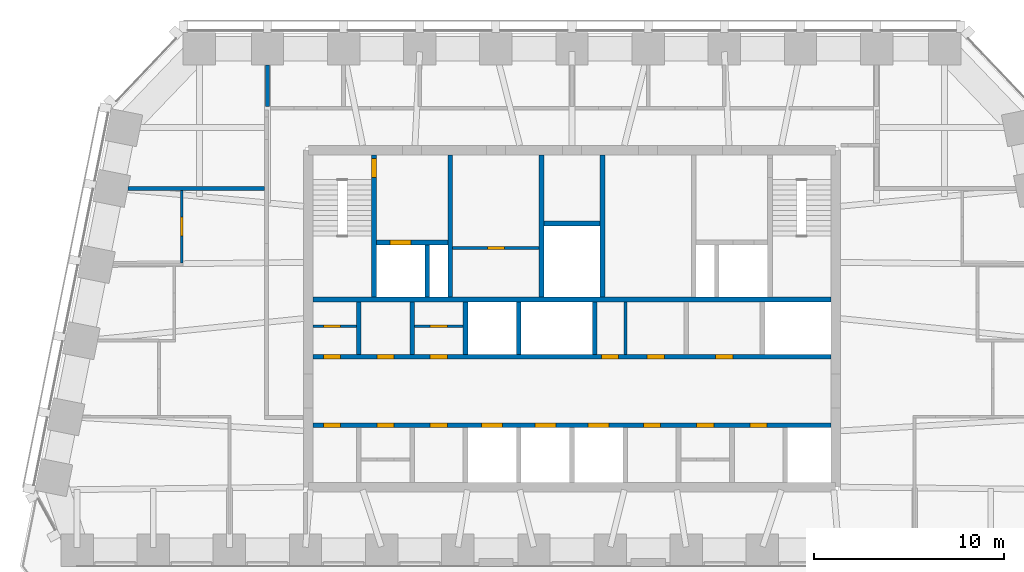
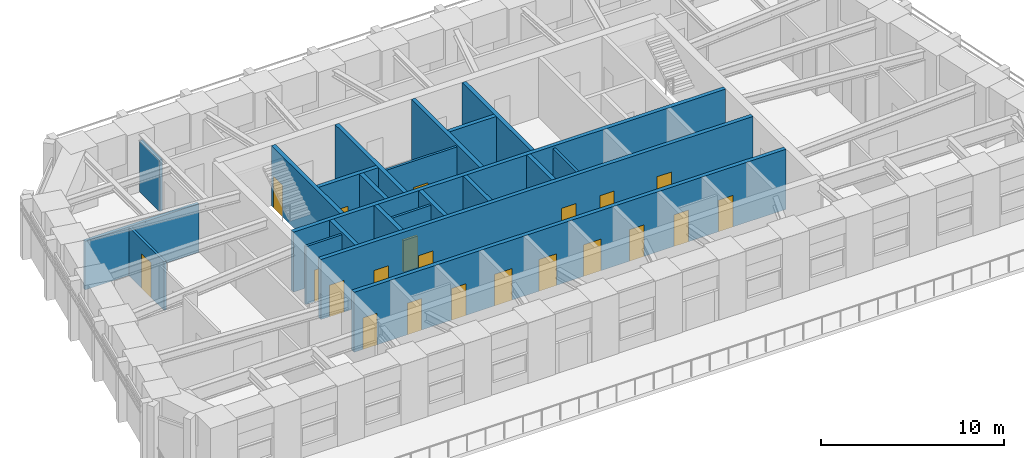
# One storey, part 5 of 9: 22 walls, 21 doors, 21 openings.
"""IFC4 building model written with IfcOpenShell, lengths in metres."""

from ifc_helpers import new_model, si_unit, direction, frame, frame_2d, origin, place, context, subcontext, project, spatial, rectangle, extrude, material, layer, layer_set, type_object, element, fill, save


model = new_model("IFC4")

# Units and contexts
model_context = context("Model", 3, precision=1e-05, world=origin(), true_north=direction((0.0, 1.0)))
body_context = subcontext(model_context, "Body", "Model", "MODEL_VIEW")
ifc_project = project(units=[si_unit("LENGTHUNIT", "METRE"), si_unit("AREAUNIT", "SQUARE_METRE"), si_unit("VOLUMEUNIT", "CUBIC_METRE"), si_unit("PLANEANGLEUNIT", "RADIAN"), si_unit("MASSUNIT", "GRAM", prefix="KILO")], contexts=[model_context])

# Site, building, storey
site_placement = place(None, origin())
site = spatial("IfcSite", under=ifc_project, at=site_placement, CompositionType="ELEMENT")
building_placement = place(site_placement, origin())
building = spatial("IfcBuilding", under=site, at=building_placement, Name="Isbrekke Arena Tower", CompositionType="ELEMENT")
storey_placement = place(building_placement, frame((0.0, 0.0, 308.0)))
storey = spatial("IfcBuildingStorey", under=building, at=storey_placement, Name="L72", CompositionType="ELEMENT", Elevation=308.0)

# Wall, openings, doors
ifc_material_1 = material(Name="Concrete B45 (C45/55)", Category="concrete")
ifc_layer_1 = layer(ifc_material_1, 0.25)
ifc_layer_set_1 = layer_set([ifc_layer_1], Name="CW6 SHAFT WALL 250")
wall_type_1 = type_object("IfcWallType", Name="CW6 SHAFT WALL 250", PredefinedType="SHEAR", material=ifc_layer_set_1)
wall_1_placement = place(storey_placement, frame((-13.60009765625, 9.39990234375, 0.0), z_axis=(0.0, 0.0, 1.0), x_axis=(1.0, 0.0, 0.0)))
wall_1 = element("IfcWall", 1, at=wall_1_placement, inside=storey, type_object=wall_type_1, Name="Core wall LS L72", PredefinedType="SHEAR", context=body_context, shape_type="SweptSolid", body=[
    extrude(rectangle(XDim=27.2001953125, YDim=0.25, at=frame_2d((13.60009765625, 0.0))), origin(), (0.0, 0.0, 1.0), 4.0),
])
opening_1_placement = place(wall_1_placement, frame((8.85009765625, 0.0, 0.0)))
opening_1 = element("IfcOpeningElement", 2, at=opening_1_placement, cuts=wall_1, Name="Opening LD1", PredefinedType="OPENING", context=body_context, shape_type="SweptSolid", body=[
    extrude(rectangle(XDim=1.10009765625, YDim=2.10009765625, at=frame_2d((0.550048828125, 1.050048828125))), frame((0.0, 0.139892578125, 0.0), z_axis=(0.0, -1.0, 0.0), x_axis=(1.0, 0.0, 0.0)), (0.0, 0.0, 1.0), 0.27978515625),
])
opening_2_placement = place(wall_1_placement, frame((11.64990234375, 0.0, 0.0)))
opening_2 = element("IfcOpeningElement", 3, at=opening_2_placement, cuts=wall_1, Name="Opening LD1", PredefinedType="OPENING", context=body_context, shape_type="SweptSolid", body=[
    extrude(rectangle(XDim=1.10009765625, YDim=2.10009765625, at=frame_2d((0.550048828125, 1.050048828125))), frame((0.0, 0.139892578125, 0.0), z_axis=(0.0, -1.0, 0.0), x_axis=(1.0, 0.0, 0.0)), (0.0, 0.0, 1.0), 0.27978515625),
])
opening_3_placement = place(wall_1_placement, frame((14.449951171875, 0.0, 0.0)))
opening_3 = element("IfcOpeningElement", 4, at=opening_3_placement, cuts=wall_1, Name="Opening LD1", PredefinedType="OPENING", context=body_context, shape_type="SweptSolid", body=[
    extrude(rectangle(XDim=1.10009765625, YDim=2.10009765625, at=frame_2d((0.550048828125, 1.050048828125))), frame((0.0, 0.139892578125, 0.0), z_axis=(0.0, -1.0, 0.0), x_axis=(1.0, 0.0, 0.0)), (0.0, 0.0, 1.0), 0.27978515625),
])
opening_4_placement = place(wall_1_placement, frame((0.550048828125, 0.0, 0.0)))
opening_4 = element("IfcOpeningElement", 5, at=opening_4_placement, cuts=wall_1, Name="Opening D5", PredefinedType="OPENING", context=body_context, shape_type="SweptSolid", body=[
    extrude(rectangle(XDim=0.89990234375, YDim=2.10009765625, at=frame_2d((0.449951171875, 1.050048828125))), frame((0.0, 0.139892578125, 0.0), z_axis=(0.0, -1.0, 0.0), x_axis=(1.0, 0.0, 0.0)), (0.0, 0.0, 1.0), 0.27978515625),
])
opening_5_placement = place(wall_1_placement, frame((3.35009765625, 0.0, 0.0)))
opening_5 = element("IfcOpeningElement", 6, at=opening_5_placement, cuts=wall_1, Name="Opening D5", PredefinedType="OPENING", context=body_context, shape_type="SweptSolid", body=[
    extrude(rectangle(XDim=0.89990234375, YDim=2.10009765625, at=frame_2d((0.449951171875, 1.050048828125))), frame((0.0, 0.139892578125, 0.0), z_axis=(0.0, -1.0, 0.0), x_axis=(1.0, 0.0, 0.0)), (0.0, 0.0, 1.0), 0.27978515625),
])
opening_6_placement = place(wall_1_placement, frame((6.14990234375, 0.0, 0.0)))
opening_6 = element("IfcOpeningElement", 7, at=opening_6_placement, cuts=wall_1, Name="Opening D5", PredefinedType="OPENING", context=body_context, shape_type="SweptSolid", body=[
    extrude(rectangle(XDim=0.89990234375, YDim=2.10009765625, at=frame_2d((0.449951171875, 1.050048828125))), frame((0.0, 0.139892578125, 0.0), z_axis=(0.0, -1.0, 0.0), x_axis=(1.0, 0.0, 0.0)), (0.0, 0.0, 1.0), 0.27978515625),
])
opening_7_placement = place(wall_1_placement, frame((17.35009765625, 0.0, 0.0)))
opening_7 = element("IfcOpeningElement", 8, at=opening_7_placement, cuts=wall_1, Name="Opening D5", PredefinedType="OPENING", context=body_context, shape_type="SweptSolid", body=[
    extrude(rectangle(XDim=0.89990234375, YDim=2.10009765625, at=frame_2d((0.449951171875, 1.050048828125))), frame((0.0, 0.139892578125, 0.0), z_axis=(0.0, -1.0, 0.0), x_axis=(1.0, 0.0, 0.0)), (0.0, 0.0, 1.0), 0.27978515625),
])
opening_8_placement = place(wall_1_placement, frame((20.14990234375, 0.0, 0.0)))
opening_8 = element("IfcOpeningElement", 9, at=opening_8_placement, cuts=wall_1, Name="Opening D5", PredefinedType="OPENING", context=body_context, shape_type="SweptSolid", body=[
    extrude(rectangle(XDim=0.89990234375, YDim=2.10009765625, at=frame_2d((0.449951171875, 1.050048828125))), frame((0.0, 0.139892578125, 0.0), z_axis=(0.0, -1.0, 0.0), x_axis=(1.0, 0.0, 0.0)), (0.0, 0.0, 1.0), 0.27978515625),
])
opening_9_placement = place(wall_1_placement, frame((22.949951171875, 0.0, 0.0)))
opening_9 = element("IfcOpeningElement", 10, at=opening_9_placement, cuts=wall_1, Name="Opening D5", PredefinedType="OPENING", context=body_context, shape_type="SweptSolid", body=[
    extrude(rectangle(XDim=0.89990234375, YDim=2.10009765625, at=frame_2d((0.449951171875, 1.050048828125))), frame((0.0, 0.139892578125, 0.0), z_axis=(0.0, -1.0, 0.0), x_axis=(1.0, 0.0, 0.0)), (0.0, 0.0, 1.0), 0.27978515625),
])
ifc_material_2 = material(Name="Steel fire door", Category="steel")
door_type_1 = type_object("IfcDoorType", Name="D5 SERVICE DOOR 900 x 2100", OperationType="SINGLE_SWING_LEFT", PredefinedType="DOOR", material=ifc_material_2)
door_1_placement = place(opening_4_placement, origin())
door_1 = element("IfcDoor", 11, at=door_1_placement, inside=storey, type_object=door_type_1, Name="D5 print room door L72", OperationType="SINGLE_SWING_LEFT", OverallHeight=2.10009765625, OverallWidth=0.89990234375, PredefinedType="DOOR", context=body_context, shape_type="SweptSolid", body=[
    extrude(rectangle(XDim=0.89990234375, YDim=2.10009765625, at=frame_2d((0.449951171875, 1.050048828125))), frame((0.0, 0.124755859375, 0.0), z_axis=(0.0, -1.0, 0.0), x_axis=(1.0, 0.0, 0.0)), (0.0, 0.0, 1.0), 0.24951171875),
])
fill(opening_4, door_1)
door_2_placement = place(opening_5_placement, origin())
door_2 = element("IfcDoor", 12, at=door_2_placement, inside=storey, type_object=door_type_1, Name="D5 mothers' room door L72", OperationType="SINGLE_SWING_LEFT", OverallHeight=2.10009765625, OverallWidth=0.89990234375, PredefinedType="DOOR", context=body_context, shape_type="SweptSolid", body=[
    extrude(rectangle(XDim=0.89990234375, YDim=2.10009765625, at=frame_2d((0.449951171875, 1.050048828125))), frame((0.0, 0.124755859375, 0.0), z_axis=(0.0, -1.0, 0.0), x_axis=(1.0, 0.0, 0.0)), (0.0, 0.0, 1.0), 0.24951171875),
])
fill(opening_5, door_2)
door_3_placement = place(opening_6_placement, origin())
door_3 = element("IfcDoor", 13, at=door_3_placement, inside=storey, type_object=door_type_1, Name="D5 tenant store door L72", OperationType="SINGLE_SWING_LEFT", OverallHeight=2.10009765625, OverallWidth=0.89990234375, PredefinedType="DOOR", context=body_context, shape_type="SweptSolid", body=[
    extrude(rectangle(XDim=0.89990234375, YDim=2.10009765625, at=frame_2d((0.449951171875, 1.050048828125))), frame((0.0, 0.124755859375, 0.0), z_axis=(0.0, -1.0, 0.0), x_axis=(1.0, 0.0, 0.0)), (0.0, 0.0, 1.0), 0.24951171875),
])
fill(opening_6, door_3)
door_4_placement = place(opening_7_placement, origin())
door_4 = element("IfcDoor", 14, at=door_4_placement, inside=storey, type_object=door_type_1, Name="D5 technical room door L72", OperationType="SINGLE_SWING_LEFT", OverallHeight=2.10009765625, OverallWidth=0.89990234375, PredefinedType="DOOR", context=body_context, shape_type="SweptSolid", body=[
    extrude(rectangle(XDim=0.89990234375, YDim=2.10009765625, at=frame_2d((0.449951171875, 1.050048828125))), frame((0.0, 0.124755859375, 0.0), z_axis=(0.0, -1.0, 0.0), x_axis=(1.0, 0.0, 0.0)), (0.0, 0.0, 1.0), 0.24951171875),
])
fill(opening_7, door_4)
door_5_placement = place(opening_8_placement, origin())
door_5 = element("IfcDoor", 15, at=door_5_placement, inside=storey, type_object=door_type_1, Name="D5 print room door L72", OperationType="SINGLE_SWING_LEFT", OverallHeight=2.10009765625, OverallWidth=0.89990234375, PredefinedType="DOOR", context=body_context, shape_type="SweptSolid", body=[
    extrude(rectangle(XDim=0.89990234375, YDim=2.10009765625, at=frame_2d((0.449951171875, 1.050048828125))), frame((0.0, 0.124755859375, 0.0), z_axis=(0.0, -1.0, 0.0), x_axis=(1.0, 0.0, 0.0)), (0.0, 0.0, 1.0), 0.24951171875),
])
fill(opening_8, door_5)
door_6_placement = place(opening_9_placement, origin())
door_6 = element("IfcDoor", 16, at=door_6_placement, inside=storey, type_object=door_type_1, Name="D5 print room door L72", OperationType="SINGLE_SWING_LEFT", OverallHeight=2.10009765625, OverallWidth=0.89990234375, PredefinedType="DOOR", context=body_context, shape_type="SweptSolid", body=[
    extrude(rectangle(XDim=0.89990234375, YDim=2.10009765625, at=frame_2d((0.449951171875, 1.050048828125))), frame((0.0, 0.124755859375, 0.0), z_axis=(0.0, -1.0, 0.0), x_axis=(1.0, 0.0, 0.0)), (0.0, 0.0, 1.0), 0.24951171875),
])
fill(opening_9, door_6)
ifc_material_3 = material(Name="Stainless steel lift landing door", Category="steel")
door_type_2 = type_object("IfcDoorType", Name="LD1 LIFT LANDING DOOR 1100 x 2100", OperationType="SLIDING_TO_LEFT", PredefinedType="DOOR", material=ifc_material_3)
door_7_placement = place(opening_1_placement, origin())
door_7 = element("IfcDoor", 17, at=door_7_placement, inside=storey, type_object=door_type_2, Name="LD1 lift landing door LE L72", OperationType="SLIDING_TO_LEFT", OverallHeight=2.10009765625, OverallWidth=1.10009765625, PredefinedType="DOOR", context=body_context, shape_type="SweptSolid", body=[
    extrude(rectangle(XDim=1.10009765625, YDim=2.10009765625, at=frame_2d((0.550048828125, 1.050048828125))), frame((0.0, 0.124755859375, 0.0), z_axis=(0.0, -1.0, 0.0), x_axis=(1.0, 0.0, 0.0)), (0.0, 0.0, 1.0), 0.24951171875),
])
fill(opening_1, door_7)
door_8_placement = place(opening_2_placement, origin())
door_8 = element("IfcDoor", 18, at=door_8_placement, inside=storey, type_object=door_type_2, Name="LD1 lift landing door LE L72", OperationType="SLIDING_TO_LEFT", OverallHeight=2.10009765625, OverallWidth=1.10009765625, PredefinedType="DOOR", context=body_context, shape_type="SweptSolid", body=[
    extrude(rectangle(XDim=1.10009765625, YDim=2.10009765625, at=frame_2d((0.550048828125, 1.050048828125))), frame((0.0, 0.124755859375, 0.0), z_axis=(0.0, -1.0, 0.0), x_axis=(1.0, 0.0, 0.0)), (0.0, 0.0, 1.0), 0.24951171875),
])
fill(opening_2, door_8)
door_9_placement = place(opening_3_placement, origin())
door_9 = element("IfcDoor", 19, at=door_9_placement, inside=storey, type_object=door_type_2, Name="LD1 lift landing door LE L72", OperationType="SLIDING_TO_LEFT", OverallHeight=2.10009765625, OverallWidth=1.10009765625, PredefinedType="DOOR", context=body_context, shape_type="SweptSolid", body=[
    extrude(rectangle(XDim=1.10009765625, YDim=2.10009765625, at=frame_2d((0.550048828125, 1.050048828125))), frame((0.0, 0.124755859375, 0.0), z_axis=(0.0, -1.0, 0.0), x_axis=(1.0, 0.0, 0.0)), (0.0, 0.0, 1.0), 0.24951171875),
])
fill(opening_3, door_9)

wall_2_placement = place(storey_placement, frame((-13.60009765625, 13.0, 0.0), z_axis=(0.0, 0.0, 1.0), x_axis=(1.0, 0.0, 0.0)))
wall_2 = element("IfcWall", 20, at=wall_2_placement, inside=storey, type_object=wall_type_1, Name="Core wall LN L72", PredefinedType="SHEAR", context=body_context, shape_type="SweptSolid", body=[
    extrude(rectangle(XDim=27.2001953125, YDim=0.25, at=frame_2d((13.60009765625, 0.0))), origin(), (0.0, 0.0, 1.0), 4.0),
])
opening_10_placement = place(wall_2_placement, frame((15.14990234375, 0.0, 0.0)))
opening_10 = element("IfcOpeningElement", 21, at=opening_10_placement, cuts=wall_2, Name="Opening D5", PredefinedType="OPENING", context=body_context, shape_type="SweptSolid", body=[
    extrude(rectangle(XDim=0.89990234375, YDim=2.10009765625, at=frame_2d((0.449951171875, 1.050048828125))), frame((0.0, 0.139892578125, 0.0), z_axis=(0.0, -1.0, 0.0), x_axis=(1.0, 0.0, 0.0)), (0.0, 0.0, 1.0), 0.27978515625),
])
opening_11_placement = place(wall_2_placement, frame((17.550048828125, 0.0, 0.0)))
opening_11 = element("IfcOpeningElement", 22, at=opening_11_placement, cuts=wall_2, Name="Opening D5", PredefinedType="OPENING", context=body_context, shape_type="SweptSolid", body=[
    extrude(rectangle(XDim=0.89990234375, YDim=2.10009765625, at=frame_2d((0.449951171875, 1.050048828125))), frame((0.0, 0.139892578125, 0.0), z_axis=(0.0, -1.0, 0.0), x_axis=(1.0, 0.0, 0.0)), (0.0, 0.0, 1.0), 0.27978515625),
])
opening_12_placement = place(wall_2_placement, frame((21.14990234375, 0.0, 0.0)))
opening_12 = element("IfcOpeningElement", 23, at=opening_12_placement, cuts=wall_2, Name="Opening D5", PredefinedType="OPENING", context=body_context, shape_type="SweptSolid", body=[
    extrude(rectangle(XDim=0.89990234375, YDim=2.10009765625, at=frame_2d((0.449951171875, 1.050048828125))), frame((0.0, 0.139892578125, 0.0), z_axis=(0.0, -1.0, 0.0), x_axis=(1.0, 0.0, 0.0)), (0.0, 0.0, 1.0), 0.27978515625),
])
opening_13_placement = place(wall_2_placement, frame((0.550048828125, 0.0, 0.0)))
opening_13 = element("IfcOpeningElement", 24, at=opening_13_placement, cuts=wall_2, Name="Opening D5", PredefinedType="OPENING", context=body_context, shape_type="SweptSolid", body=[
    extrude(rectangle(XDim=0.89990234375, YDim=2.10009765625, at=frame_2d((0.449951171875, 1.050048828125))), frame((0.0, 0.139892578125, 0.0), z_axis=(0.0, -1.0, 0.0), x_axis=(1.0, 0.0, 0.0)), (0.0, 0.0, 1.0), 0.27978515625),
])
opening_14_placement = place(wall_2_placement, frame((3.35009765625, 0.0, 0.0)))
opening_14 = element("IfcOpeningElement", 25, at=opening_14_placement, cuts=wall_2, Name="Opening D5", PredefinedType="OPENING", context=body_context, shape_type="SweptSolid", body=[
    extrude(rectangle(XDim=0.89990234375, YDim=2.10009765625, at=frame_2d((0.449951171875, 1.050048828125))), frame((0.0, 0.139892578125, 0.0), z_axis=(0.0, -1.0, 0.0), x_axis=(1.0, 0.0, 0.0)), (0.0, 0.0, 1.0), 0.27978515625),
])
opening_15_placement = place(wall_2_placement, frame((6.14990234375, 0.0, 0.0)))
opening_15 = element("IfcOpeningElement", 26, at=opening_15_placement, cuts=wall_2, Name="Opening D5", PredefinedType="OPENING", context=body_context, shape_type="SweptSolid", body=[
    extrude(rectangle(XDim=0.89990234375, YDim=2.10009765625, at=frame_2d((0.449951171875, 1.050048828125))), frame((0.0, 0.139892578125, 0.0), z_axis=(0.0, -1.0, 0.0), x_axis=(1.0, 0.0, 0.0)), (0.0, 0.0, 1.0), 0.27978515625),
])
door_10_placement = place(opening_10_placement, origin())
door_10 = element("IfcDoor", 27, at=door_10_placement, inside=storey, type_object=door_type_1, Name="D5 communications room door L72", OperationType="SINGLE_SWING_LEFT", OverallHeight=2.10009765625, OverallWidth=0.89990234375, PredefinedType="DOOR", context=body_context, shape_type="SweptSolid", body=[
    extrude(rectangle(XDim=0.89990234375, YDim=2.10009765625, at=frame_2d((0.449951171875, 1.050048828125))), frame((0.0, 0.124755859375, 0.0), z_axis=(0.0, -1.0, 0.0), x_axis=(1.0, 0.0, 0.0)), (0.0, 0.0, 1.0), 0.24951171875),
])
fill(opening_10, door_10)
door_11_placement = place(opening_11_placement, origin())
door_11 = element("IfcDoor", 28, at=door_11_placement, inside=storey, type_object=door_type_1, Name="D5 meeting room door L72", OperationType="SINGLE_SWING_LEFT", OverallHeight=2.10009765625, OverallWidth=0.89990234375, PredefinedType="DOOR", context=body_context, shape_type="SweptSolid", body=[
    extrude(rectangle(XDim=0.89990234375, YDim=2.10009765625, at=frame_2d((0.449951171875, 1.050048828125))), frame((0.0, 0.124755859375, 0.0), z_axis=(0.0, -1.0, 0.0), x_axis=(1.0, 0.0, 0.0)), (0.0, 0.0, 1.0), 0.24951171875),
])
fill(opening_11, door_11)
door_12_placement = place(opening_12_placement, origin())
door_12 = element("IfcDoor", 29, at=door_12_placement, inside=storey, type_object=door_type_1, Name="D5 cleaner's store door L72", OperationType="SINGLE_SWING_LEFT", OverallHeight=2.10009765625, OverallWidth=0.89990234375, PredefinedType="DOOR", context=body_context, shape_type="SweptSolid", body=[
    extrude(rectangle(XDim=0.89990234375, YDim=2.10009765625, at=frame_2d((0.449951171875, 1.050048828125))), frame((0.0, 0.124755859375, 0.0), z_axis=(0.0, -1.0, 0.0), x_axis=(1.0, 0.0, 0.0)), (0.0, 0.0, 1.0), 0.24951171875),
])
fill(opening_12, door_12)
door_13_placement = place(opening_13_placement, origin())
door_13 = element("IfcDoor", 30, at=door_13_placement, inside=storey, type_object=door_type_1, Name="D5 tea point door L72", OperationType="SINGLE_SWING_LEFT", OverallHeight=2.10009765625, OverallWidth=0.89990234375, PredefinedType="DOOR", context=body_context, shape_type="SweptSolid", body=[
    extrude(rectangle(XDim=0.89990234375, YDim=2.10009765625, at=frame_2d((0.449951171875, 1.050048828125))), frame((0.0, 0.124755859375, 0.0), z_axis=(0.0, -1.0, 0.0), x_axis=(1.0, 0.0, 0.0)), (0.0, 0.0, 1.0), 0.24951171875),
])
fill(opening_13, door_13)
door_14_placement = place(opening_14_placement, origin())
door_14 = element("IfcDoor", 31, at=door_14_placement, inside=storey, type_object=door_type_1, Name="D5 archive door L72", OperationType="SINGLE_SWING_LEFT", OverallHeight=2.10009765625, OverallWidth=0.89990234375, PredefinedType="DOOR", context=body_context, shape_type="SweptSolid", body=[
    extrude(rectangle(XDim=0.89990234375, YDim=2.10009765625, at=frame_2d((0.449951171875, 1.050048828125))), frame((0.0, 0.124755859375, 0.0), z_axis=(0.0, -1.0, 0.0), x_axis=(1.0, 0.0, 0.0)), (0.0, 0.0, 1.0), 0.24951171875),
])
fill(opening_14, door_14)
door_15_placement = place(opening_15_placement, origin())
door_15 = element("IfcDoor", 32, at=door_15_placement, inside=storey, type_object=door_type_1, Name="D5 pantry door L72", OperationType="SINGLE_SWING_LEFT", OverallHeight=2.10009765625, OverallWidth=0.89990234375, PredefinedType="DOOR", context=body_context, shape_type="SweptSolid", body=[
    extrude(rectangle(XDim=0.89990234375, YDim=2.10009765625, at=frame_2d((0.449951171875, 1.050048828125))), frame((0.0, 0.124755859375, 0.0), z_axis=(0.0, -1.0, 0.0), x_axis=(1.0, 0.0, 0.0)), (0.0, 0.0, 1.0), 0.24951171875),
])
fill(opening_15, door_15)

# Walls
wall_3_placement = place(storey_placement, frame((-13.60009765625, 16.0, 0.0), z_axis=(0.0, 0.0, 1.0), x_axis=(1.0, 0.0, 0.0)))
element("IfcWall", 33, at=wall_3_placement, inside=storey, type_object=wall_type_1, Name="Core wall NB L72", PredefinedType="SHEAR", context=body_context, shape_type="SweptSolid", body=[
    extrude(rectangle(XDim=27.2001953125, YDim=0.25, at=frame_2d((13.60009765625, 0.0))), origin(), (0.0, 0.0, 1.0), 4.0),
])
for number, where, z_axis, x_axis, name in (
    (34, (-11.199951171875, 13.125, 0.0), (0.0, 0.0, 1.0), (0.0, 1.0, 0.0), "Core wall SN01 L72"),
    (35, (-8.39990234375, 13.125, 0.0), (0.0, 0.0, 1.0), (0.0, 1.0, 0.0), "Core wall SN02 L72"),
    (36, (-5.60009765625, 13.125, 0.0), (0.0, 0.0, 1.0), (0.0, 1.0, 0.0), "Core wall SN03 L72"),
    (37, (-2.800048828125, 13.125, 0.0), (0.0, 0.0, 1.0), (0.0, 1.0, 0.0), "Core wall SN04 L72"),
    (38, (1.199951171875, 13.125, 0.0), (0.0, 0.0, 1.0), (0.0, 1.0, 0.0), "Core wall SN05 L72"),
):
    element("IfcWall", number, at=place(storey_placement, frame(where, z_axis=z_axis, x_axis=x_axis)), inside=storey, type_object=wall_type_1, Name=name, PredefinedType="SHEAR", context=body_context, shape_type="SweptSolid", body=[
        extrude(rectangle(XDim=2.75, YDim=0.25, at=frame_2d((1.375, 0.0))), origin(), (0.0, 0.0, 1.0), 4.0),
    ])

# Wall, opening, door
wall_4_placement = place(storey_placement, frame((-10.39990234375, 16.125, 0.0), z_axis=(0.0, 0.0, 1.0), x_axis=(0.0, 1.0, 0.0)))
wall_4 = element("IfcWall", 39, at=wall_4_placement, inside=storey, type_object=wall_type_1, Name="Core wall NV01 L72", PredefinedType="SHEAR", context=body_context, shape_type="SweptSolid", body=[
    extrude(rectangle(XDim=7.47509765625, YDim=0.25, at=frame_2d((3.737548828125, 0.0))), origin(), (0.0, 0.0, 1.0), 4.0),
])
opening_16_placement = place(wall_4_placement, frame((6.27490234375, 0.0, 0.0)))
opening_16 = element("IfcOpeningElement", 40, at=opening_16_placement, cuts=wall_4, Name="Opening D2", PredefinedType="OPENING", context=body_context, shape_type="SweptSolid", body=[
    extrude(rectangle(XDim=1.0, YDim=2.10009765625, at=frame_2d((0.5, 1.050048828125))), frame((0.0, 0.139892578125, 0.0), z_axis=(0.0, -1.0, 0.0), x_axis=(1.0, 0.0, 0.0)), (0.0, 0.0, 1.0), 0.27978515625),
])
ifc_material_4 = material(Name="Steel fire door", Category="steel")
door_type_3 = type_object("IfcDoorType", Name="D2 STAIR DOOR 1000 x 2100", OperationType="SINGLE_SWING_LEFT", PredefinedType="DOOR", material=ifc_material_4)
door_16_placement = place(opening_16_placement, origin())
door_16 = element("IfcDoor", 41, at=door_16_placement, inside=storey, type_object=door_type_3, Name="D2 stair door ST1 L72", OperationType="SINGLE_SWING_LEFT", OverallHeight=2.10009765625, OverallWidth=1.0, PredefinedType="DOOR", context=body_context, shape_type="SweptSolid", body=[
    extrude(rectangle(XDim=1.0, YDim=2.10009765625, at=frame_2d((0.5, 1.050048828125))), frame((0.0, 0.124755859375, 0.0), z_axis=(0.0, -1.0, 0.0), x_axis=(1.0, 0.0, 0.0)), (0.0, 0.0, 1.0), 0.24951171875),
])
fill(opening_16, door_16)

# Walls
for number, where, z_axis, x_axis, name in (
    (42, (-6.39990234375, 16.125, 0.0), (0.0, 0.0, 1.0), (0.0, 1.0, 0.0), "Core wall NV02 L72"),
    (43, (-1.60009765625, 16.125, 0.0), (0.0, 0.0, 1.0), (0.0, 1.0, 0.0), "Core wall NV03 L72"),
    (44, (1.60009765625, 16.125, 0.0), (0.0, 0.0, 1.0), (0.0, 1.0, 0.0), "Core wall NV04 L72"),
):
    element("IfcWall", number, at=place(storey_placement, frame(where, z_axis=z_axis, x_axis=x_axis)), inside=storey, type_object=wall_type_1, Name=name, PredefinedType="SHEAR", context=body_context, shape_type="SweptSolid", body=[
        extrude(rectangle(XDim=7.47509765625, YDim=0.25, at=frame_2d((3.737548828125, 0.0))), origin(), (0.0, 0.0, 1.0), 4.0),
    ])

# Wall, opening, door
wall_5_placement = place(storey_placement, frame((-10.27490234375, 19.0, 0.0), z_axis=(0.0, 0.0, 1.0), x_axis=(1.0, 0.0, 0.0)))
wall_5 = element("IfcWall", 45, at=wall_5_placement, inside=storey, type_object=wall_type_1, Name="Core wall NFW L72", PredefinedType="SHEAR", context=body_context, shape_type="SweptSolid", body=[
    extrude(rectangle(XDim=3.75, YDim=0.25, at=frame_2d((1.875, 0.0))), origin(), (0.0, 0.0, 1.0), 4.0),
])
opening_17_placement = place(wall_5_placement, frame((0.72509765625, 0.0, 0.0)))
opening_17 = element("IfcOpeningElement", 46, at=opening_17_placement, cuts=wall_5, Name="Opening LD2", PredefinedType="OPENING", context=body_context, shape_type="SweptSolid", body=[
    extrude(rectangle(XDim=1.10009765625, YDim=2.10009765625, at=frame_2d((0.550048828125, 1.050048828125))), frame((0.0, 0.139892578125, 0.0), z_axis=(0.0, -1.0, 0.0), x_axis=(1.0, 0.0, 0.0)), (0.0, 0.0, 1.0), 0.27978515625),
])
ifc_material_5 = material(Name="Stainless steel lift landing door", Category="steel")
door_type_4 = type_object("IfcDoorType", Name="LD2 FIRE-FIGHTING LIFT LANDING DOOR 1100 x 2100", OperationType="SLIDING_TO_RIGHT", PredefinedType="DOOR", material=ifc_material_5)
door_17_placement = place(opening_17_placement, origin())
door_17 = element("IfcDoor", 47, at=door_17_placement, inside=storey, type_object=door_type_4, Name="LD2 lift landing door LF L72", OperationType="SLIDING_TO_RIGHT", OverallHeight=2.10009765625, OverallWidth=1.10009765625, PredefinedType="DOOR", context=body_context, shape_type="SweptSolid", body=[
    extrude(rectangle(XDim=1.10009765625, YDim=2.10009765625, at=frame_2d((0.550048828125, 1.050048828125))), frame((0.0, 0.124755859375, 0.0), z_axis=(0.0, -1.0, 0.0), x_axis=(1.0, 0.0, 0.0)), (0.0, 0.0, 1.0), 0.24951171875),
])
fill(opening_17, door_17)

# Walls
wall_6_placement = place(storey_placement, frame((-7.60009765625, 16.125, 0.0), z_axis=(0.0, 0.0, 1.0), x_axis=(0.0, 1.0, 0.0)))
element("IfcWall", 48, at=wall_6_placement, inside=storey, type_object=wall_type_1, Name="Core wall NFS1 L72", PredefinedType="SHEAR", context=body_context, shape_type="SweptSolid", body=[
    extrude(rectangle(XDim=2.75, YDim=0.25, at=frame_2d((1.375, 0.0))), origin(), (0.0, 0.0, 1.0), 4.0),
])
wall_7_placement = place(storey_placement, frame((-1.47509765625, 20.0, 0.0), z_axis=(0.0, 0.0, 1.0), x_axis=(1.0, 0.0, 0.0)))
element("IfcWall", 49, at=wall_7_placement, inside=storey, type_object=wall_type_1, Name="Core wall NWC L72", PredefinedType="SHEAR", context=body_context, shape_type="SweptSolid", body=[
    extrude(rectangle(XDim=2.9501953125, YDim=0.25, at=frame_2d((1.47509765625, 0.0))), origin(), (0.0, 0.0, 1.0), 4.0),
])

# Wall, opening, door
ifc_material_6 = material(Name="Gypsum board partition on steel studs", Category="steel")
ifc_layer_2 = layer(ifc_material_6, 0.14990234375)
ifc_layer_set_2 = layer_set([ifc_layer_2], Name="IW1 PARTITION 150")
wall_type_2 = type_object("IfcWallType", Name="IW1 PARTITION 150", PredefinedType="PARTITIONING", material=ifc_layer_set_2)
wall_8_placement = place(storey_placement, frame((-20.5, 17.9150390625, 0.0), z_axis=(0.0, 0.0, 1.0), x_axis=(0.0, 1.0, 0.0)))
wall_8 = element("IfcWall", 50, at=wall_8_placement, inside=storey, type_object=wall_type_2, Name="IW1 partition 150 L72", PredefinedType="PARTITIONING", context=body_context, shape_type="SweptSolid", body=[
    extrude(rectangle(XDim=3.824951171875, YDim=0.14990234375, at=frame_2d((1.91259765625, 0.0))), origin(), (0.0, 0.0, 1.0), 3.22998046875),
])
opening_18_placement = place(wall_8_placement, frame((1.425048828125, 0.0, 0.0)))
opening_18 = element("IfcOpeningElement", 51, at=opening_18_placement, cuts=wall_8, Name="Opening D10", PredefinedType="OPENING", context=body_context, shape_type="SweptSolid", body=[
    extrude(rectangle(XDim=1.0, YDim=2.300048828125, at=frame_2d((0.5, 1.14990234375))), frame((0.0, 0.08984375, 0.0), z_axis=(0.0, -1.0, 0.0), x_axis=(1.0, 0.0, 0.0)), (0.0, 0.0, 1.0), 0.1796875),
])
ifc_material_7 = material(Name="Timber door", Category="wood")
door_type_5 = type_object("IfcDoorType", Name="D10 OFFICE DOOR 1000 x 2300", OperationType="SINGLE_SWING_LEFT", PredefinedType="DOOR", material=ifc_material_7)
door_18_placement = place(opening_18_placement, origin())
door_18 = element("IfcDoor", 52, at=door_18_placement, inside=storey, type_object=door_type_5, Name="D10 office door L72", OperationType="SINGLE_SWING_LEFT", OverallHeight=2.300048828125, OverallWidth=1.0, PredefinedType="DOOR", context=body_context, shape_type="SweptSolid", body=[
    extrude(rectangle(XDim=1.0, YDim=2.300048828125, at=frame_2d((0.5, 1.14990234375))), frame((0.0, 0.07470703125, 0.0), z_axis=(0.0, -1.0, 0.0), x_axis=(1.0, 0.0, 0.0)), (0.0, 0.0, 1.0), 0.1494140625),
])
fill(opening_18, door_18)

# Walls
ifc_material_8 = material(Name="Gypsum board fire-cell wall on steel studs, two layers each side", Category="steel")
ifc_layer_3 = layer(ifc_material_8, 0.199951171875)
ifc_layer_set_3 = layer_set([ifc_layer_3], Name="IW3 FIRE-CELL WALL 200")
wall_type_3 = type_object("IfcWallType", Name="IW3 FIRE-CELL WALL 200", PredefinedType="PARTITIONING", material=ifc_layer_set_3)
wall_9_placement = place(storey_placement, frame((-23.32373046875, 21.840087890625, 0.0), z_axis=(0.0, 0.0, 1.0), x_axis=(1.0, 0.0, 0.0)))
element("IfcWall", 53, at=wall_9_placement, inside=storey, type_object=wall_type_3, Name="IW3 fire-cell wall 200 L72", PredefinedType="PARTITIONING", context=body_context, shape_type="SweptSolid", body=[
    extrude(rectangle(XDim=7.173828125, YDim=0.199951171875, at=frame_2d((3.5869140625, 0.0))), origin(), (0.0, 0.0, 1.0), 3.22998046875),
])
wall_10_placement = place(storey_placement, frame((-16.0, 26.14990234375, 0.0), z_axis=(0.0, 0.0, 1.0), x_axis=(0.0, 1.0, 0.0)))
element("IfcWall", 54, at=wall_10_placement, inside=storey, type_object=wall_type_3, Name="IW3 fire-cell wall 200 L72", PredefinedType="PARTITIONING", context=body_context, shape_type="SweptSolid", body=[
    extrude(rectangle(XDim=2.175048828125, YDim=0.199951171875, at=frame_2d((1.08740234375, 0.0))), origin(), (0.0, 0.0, 1.0), 3.41796875),
])

# Wall, opening, door
ifc_material_9 = material(Name="Gypsum board fire-rated partition on steel studs, two layers each side", Category="steel")
ifc_layer_4 = layer(ifc_material_9, 0.14990234375)
ifc_layer_set_4 = layer_set([ifc_layer_4], Name="IW5 FIRE-RATED PARTITION 150")
wall_type_4 = type_object("IfcWallType", Name="IW5 FIRE-RATED PARTITION 150", PredefinedType="PARTITIONING", material=ifc_layer_set_4)
wall_11_placement = place(storey_placement, frame((-6.27490234375, 18.699951171875, 0.0), z_axis=(0.0, 0.0, 1.0), x_axis=(1.0, 0.0, 0.0)))
wall_11 = element("IfcWall", 55, at=wall_11_placement, inside=storey, type_object=wall_type_4, Name="IW5 fire-rated partition L72 cleaner's store F", PredefinedType="PARTITIONING", context=body_context, shape_type="SweptSolid", body=[
    extrude(rectangle(XDim=4.5498046875, YDim=0.14990234375, at=frame_2d((2.27490234375, 0.0))), origin(), (0.0, 0.0, 1.0), 3.85009765625),
])
opening_19_placement = place(wall_11_placement, frame((1.824951171875, 0.0, 0.0)))
opening_19 = element("IfcOpeningElement", 56, at=opening_19_placement, cuts=wall_11, Name="Opening D5", PredefinedType="OPENING", context=body_context, shape_type="SweptSolid", body=[
    extrude(rectangle(XDim=0.89990234375, YDim=2.10009765625, at=frame_2d((0.449951171875, 1.050048828125))), frame((0.0, 0.08984375, 0.0), z_axis=(0.0, -1.0, 0.0), x_axis=(1.0, 0.0, 0.0)), (0.0, 0.0, 1.0), 0.1796875),
])
door_19_placement = place(opening_19_placement, origin())
door_19 = element("IfcDoor", 57, at=door_19_placement, inside=storey, type_object=door_type_1, Name="D5 cleaner's store door L72", OperationType="SINGLE_SWING_LEFT", OverallHeight=2.10009765625, OverallWidth=0.89990234375, PredefinedType="DOOR", context=body_context, shape_type="SweptSolid", body=[
    extrude(rectangle(XDim=0.89990234375, YDim=2.10009765625, at=frame_2d((0.449951171875, 1.050048828125))), frame((0.0, 0.07470703125, 0.0), z_axis=(0.0, -1.0, 0.0), x_axis=(1.0, 0.0, 0.0)), (0.0, 0.0, 1.0), 0.1494140625),
])
fill(opening_19, door_19)

# Wall
wall_12_placement = place(storey_placement, frame((2.800048828125, 13.125, 0.0), z_axis=(0.0, 0.0, 1.0), x_axis=(0.0, 1.0, 0.0)))
element("IfcWall", 58, at=wall_12_placement, inside=storey, type_object=wall_type_4, Name="IW5 fire-rated partition L72 core service rooms 1", PredefinedType="PARTITIONING", context=body_context, shape_type="SweptSolid", body=[
    extrude(rectangle(XDim=2.75, YDim=0.14990234375, at=frame_2d((1.375, 0.0))), origin(), (0.0, 0.0, 1.0), 3.85009765625),
])

# Wall, opening, door
wall_13_placement = place(storey_placement, frame((-13.60009765625, 14.60009765625, 0.0), z_axis=(0.0, 0.0, 1.0), x_axis=(1.0, 0.0, 0.0)))
wall_13 = element("IfcWall", 59, at=wall_13_placement, inside=storey, type_object=wall_type_4, Name="IW5 fire-rated partition L72 core service rooms 2", PredefinedType="PARTITIONING", context=body_context, shape_type="SweptSolid", body=[
    extrude(rectangle(XDim=2.275146484375, YDim=0.14990234375, at=frame_2d((1.1376953125, 0.0))), origin(), (0.0, 0.0, 1.0), 3.85009765625),
])
opening_20_placement = place(wall_13_placement, frame((0.550048828125, 0.0, 0.0)))
opening_20 = element("IfcOpeningElement", 60, at=opening_20_placement, cuts=wall_13, Name="Opening D5", PredefinedType="OPENING", context=body_context, shape_type="SweptSolid", body=[
    extrude(rectangle(XDim=0.89990234375, YDim=2.10009765625, at=frame_2d((0.449951171875, 1.050048828125))), frame((0.0, 0.08984375, 0.0), z_axis=(0.0, -1.0, 0.0), x_axis=(1.0, 0.0, 0.0)), (0.0, 0.0, 1.0), 0.1796875),
])
door_20_placement = place(opening_20_placement, origin())
door_20 = element("IfcDoor", 61, at=door_20_placement, inside=storey, type_object=door_type_1, Name="D5 archive door L72", OperationType="SINGLE_SWING_LEFT", OverallHeight=2.10009765625, OverallWidth=0.89990234375, PredefinedType="DOOR", context=body_context, shape_type="SweptSolid", body=[
    extrude(rectangle(XDim=0.89990234375, YDim=2.10009765625, at=frame_2d((0.449951171875, 1.050048828125))), frame((0.0, 0.07470703125, 0.0), z_axis=(0.0, -1.0, 0.0), x_axis=(1.0, 0.0, 0.0)), (0.0, 0.0, 1.0), 0.1494140625),
])
fill(opening_20, door_20)

wall_14_placement = place(storey_placement, frame((-8.27490234375, 14.60009765625, 0.0), z_axis=(0.0, 0.0, 1.0), x_axis=(1.0, 0.0, 0.0)))
wall_14 = element("IfcWall", 62, at=wall_14_placement, inside=storey, type_object=wall_type_4, Name="IW5 fire-rated partition L72 core service rooms 3", PredefinedType="PARTITIONING", context=body_context, shape_type="SweptSolid", body=[
    extrude(rectangle(XDim=2.5498046875, YDim=0.14990234375, at=frame_2d((1.27490234375, 0.0))), origin(), (0.0, 0.0, 1.0), 3.85009765625),
])
opening_21_placement = place(wall_14_placement, frame((0.824951171875, 0.0, 0.0)))
opening_21 = element("IfcOpeningElement", 63, at=opening_21_placement, cuts=wall_14, Name="Opening D5", PredefinedType="OPENING", context=body_context, shape_type="SweptSolid", body=[
    extrude(rectangle(XDim=0.89990234375, YDim=2.10009765625, at=frame_2d((0.449951171875, 1.050048828125))), frame((0.0, 0.08984375, 0.0), z_axis=(0.0, -1.0, 0.0), x_axis=(1.0, 0.0, 0.0)), (0.0, 0.0, 1.0), 0.1796875),
])
door_21_placement = place(opening_21_placement, origin())
door_21 = element("IfcDoor", 64, at=door_21_placement, inside=storey, type_object=door_type_1, Name="D5 tenant store door L72", OperationType="SINGLE_SWING_LEFT", OverallHeight=2.10009765625, OverallWidth=0.89990234375, PredefinedType="DOOR", context=body_context, shape_type="SweptSolid", body=[
    extrude(rectangle(XDim=0.89990234375, YDim=2.10009765625, at=frame_2d((0.449951171875, 1.050048828125))), frame((0.0, 0.07470703125, 0.0), z_axis=(0.0, -1.0, 0.0), x_axis=(1.0, 0.0, 0.0)), (0.0, 0.0, 1.0), 0.1494140625),
])
fill(opening_21, door_21)

save(model, "model.ifc")
